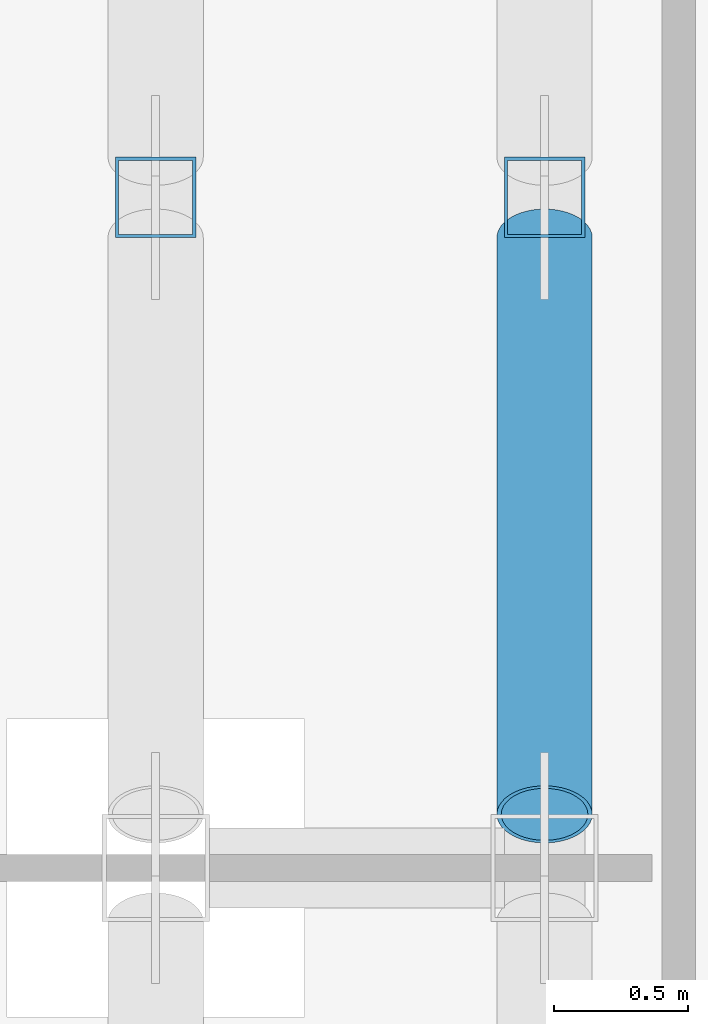
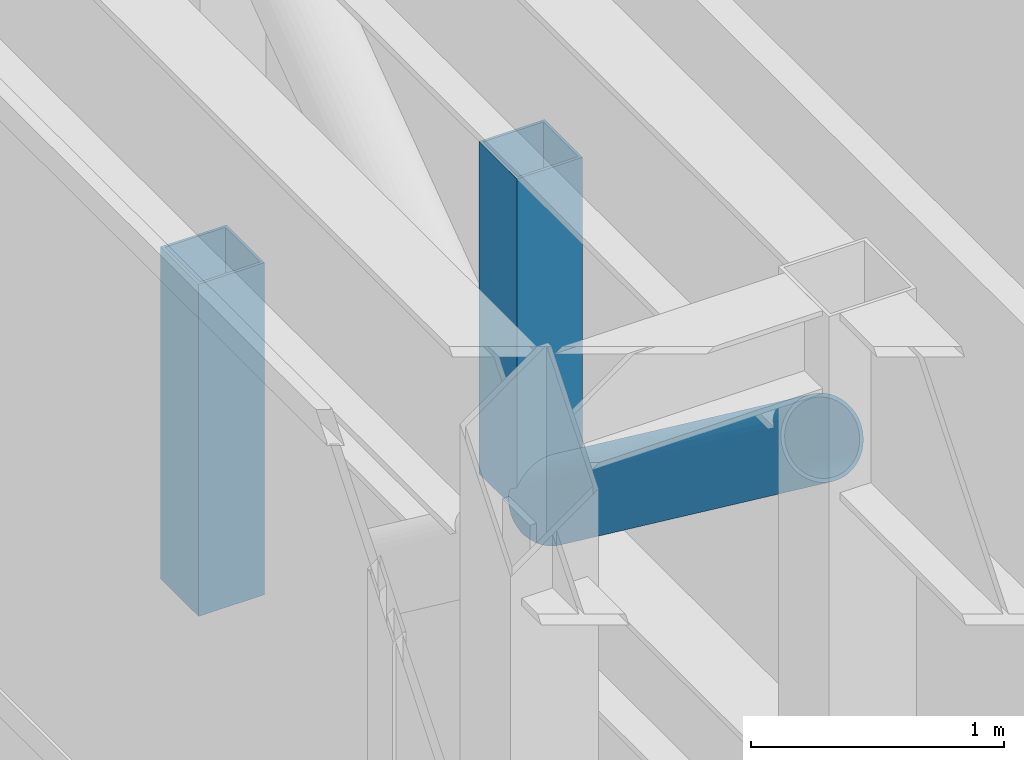
# One storey, part 9 of 47: 3 members.
"""IFC4 building model written with IfcOpenShell, lengths in metres."""

from ifc_helpers import new_model, si_unit, direction, frame, origin, origin_2d, place, context, subcontext, project, spatial, hollow_rectangle, hollow_circle, extrude, source, transform, mapped, material, material_profile, profile_set, type_object, element, save


model = new_model("IFC4")

# Units and contexts
model_context = context("Model", 3, precision=1e-05, world=origin(), true_north=direction((0.0, 1.0)))
body_context = subcontext(model_context, "Body", "Model", "MODEL_VIEW")
ifc_project = project(units=[si_unit("LENGTHUNIT", "METRE"), si_unit("AREAUNIT", "SQUARE_METRE"), si_unit("VOLUMEUNIT", "CUBIC_METRE"), si_unit("PLANEANGLEUNIT", "RADIAN"), si_unit("MASSUNIT", "GRAM", prefix="KILO")], contexts=[model_context])

# Site, building, storey
site_placement = place(None, origin())
site = spatial("IfcSite", under=ifc_project, at=site_placement, CompositionType="ELEMENT")
building_placement = place(site_placement, origin())
building = spatial("IfcBuilding", under=site, at=building_placement, Name="Khomas Fold Tower", CompositionType="ELEMENT")
storey_placement = place(building_placement, frame((0.0, 0.0, 158.699951171875)))
storey = spatial("IfcBuildingStorey", under=building, at=storey_placement, Name="L34", CompositionType="ELEMENT", Elevation=158.699951171875)

# Members
ifc_material_1 = material(Name="Steel S355", Category="steel")
ifc_material_profile_1 = material_profile(ifc_material_1, hollow_rectangle(XDim=0.300048828125, YDim=0.300048828125, WallThickness=0.012451171875, at=origin_2d()), Name="SHS 300x300x12.5")
ifc_profile_set_1 = profile_set([ifc_material_profile_1], Name="Steel S355")
member_type_1 = type_object("IfcMemberType", Name="BELT TRUSS 2 MID POST SHS 300x300x12.5", PredefinedType="POST", material=ifc_profile_set_1)
shared_shape_1 = source(origin(), body_context, "Body", "SweptSolid", [
    extrude(hollow_rectangle(XDim=0.300048828125, YDim=0.300048828125, WallThickness=0.012451171875, at=origin_2d()), origin(), (0.0, 0.0, 1.0), 1.60009765625),
])
for number, where, z_axis, x_axis, name in (
    (1, (2.25, 29.5, 3.25), (0.0, 0.0, 1.0), (1.0, 0.0, 0.0), "BT2-M"),
    (2, (3.699951171875, 29.5, 3.25), (0.0, 0.0, 1.0), (1.0, 0.0, 0.0), "BT2-M"),
):
    element("IfcMember", number, at=place(storey_placement, frame(where, z_axis=z_axis, x_axis=x_axis)), inside=storey, type_object=member_type_1, Name=name, PredefinedType="POST", context=body_context, shape_type="MappedRepresentation", body=[
        mapped(shared_shape_1, transform((0.0, 0.0, 0.0))),
    ])
ifc_material_2 = material(Name="Steel S355", Category="steel")
ifc_material_profile_2 = material_profile(ifc_material_2, hollow_circle(Radius=0.177734375, WallThickness=0.01611328125, at=origin_2d()), Name="CHS 355.6x16")
ifc_profile_set_2 = profile_set([ifc_material_profile_2], Name="Steel S355")
member_type_2 = type_object("IfcMemberType", Name="BELT TRUSS 2 DIAGONAL CHS 355.6x16", PredefinedType="BRACE", material=ifc_profile_set_2)
shared_shape_2 = source(origin(), body_context, "Body", "SweptSolid", [
    extrude(hollow_circle(Radius=0.177734375, WallThickness=0.01611328125, at=origin_2d()), origin(), (0.0, 0.0, 1.0), 2.68603515625),
])
member_placement = place(storey_placement, frame((3.699951171875, 29.35009765625, 3.2451171875), z_axis=(0.0, -0.800490552016, 0.599345372998), x_axis=(1.0, 0.0, 0.0)))
element("IfcMember", 3, at=member_placement, inside=storey, type_object=member_type_2, Name="BT2-D", PredefinedType="BRACE", context=body_context, shape_type="MappedRepresentation", body=[
    mapped(shared_shape_2, transform((0.0, 0.0, 0.0))),
])

save(model, "model.ifc")
